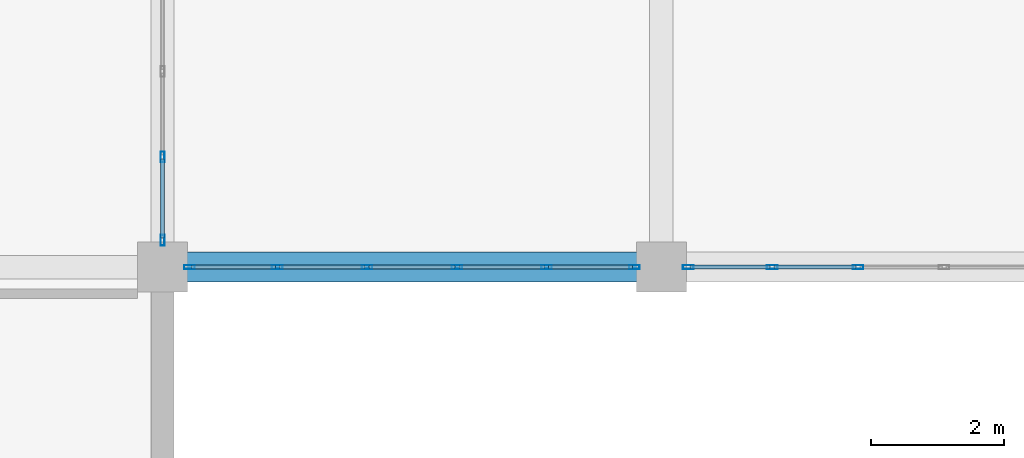
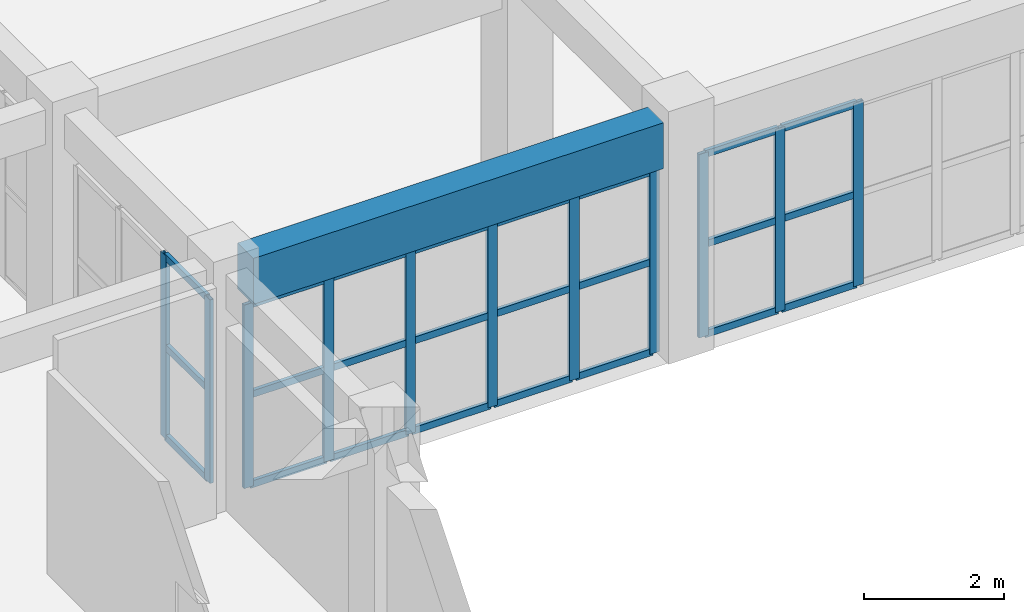
# One storey, part 24 of 116: 35 members, 1 beam, 3 elements without a shape of their own.
"""IFC4 building model written with IfcOpenShell, lengths in metres."""

from ifc_helpers import new_model, si_unit, direction, frame, origin, origin_2d, place, context, subcontext, project, spatial, rectangle, hollow_rectangle, extrude, material, layer, layer_set, material_profile, profile_set, type_object, element, aggregate, save


model = new_model("IFC4")

# Units and contexts
model_context = context("Model", 3, precision=1e-05, world=origin(), true_north=direction((0.0, 1.0)))
body_context = subcontext(model_context, "Body", "Model", "MODEL_VIEW")
ifc_project = project(units=[si_unit("LENGTHUNIT", "METRE"), si_unit("AREAUNIT", "SQUARE_METRE"), si_unit("VOLUMEUNIT", "CUBIC_METRE"), si_unit("PLANEANGLEUNIT", "RADIAN"), si_unit("MASSUNIT", "GRAM", prefix="KILO")], contexts=[model_context])

# Site, building, storey
site_placement = place(None, origin())
site = spatial("IfcSite", under=ifc_project, at=site_placement, CompositionType="ELEMENT")
building_placement = place(site_placement, origin())
building = spatial("IfcBuilding", under=site, at=building_placement, Name="Muzn Square Opera House", CompositionType="ELEMENT")
storey_placement = place(building_placement, frame((0.0, 0.0, 5.39990234375)))
storey = spatial("IfcBuildingStorey", under=building, at=storey_placement, Name="L01", CompositionType="ELEMENT", Elevation=5.39990234375)

# Curtain wall, members
ifc_material_1 = material(Name="Low-E laminated acoustic double glazing", Category="glass")
ifc_layer_1 = layer(ifc_material_1, 0.159912109375, Name="Low-E laminated acoustic double glazing", Category="glass")
ifc_layer_set_1 = layer_set([ifc_layer_1], Name="Low-E laminated acoustic double glazing")
curtain_wall_type_1 = type_object("IfcCurtainWallType", Name="Glazed Curtain Wall WestCloisterN 6750x3200", PredefinedType="USERDEFINED", material=ifc_layer_set_1)
curtain_wall_1_placement = place(storey_placement, origin())
curtain_wall_1 = element("IfcCurtainWall", 1, at=curtain_wall_1_placement, inside=storey, type_object=curtain_wall_type_1, Name="Glazed Curtain Wall CW-L01-082", ObjectType="GLAZED CURTAIN WALL", PredefinedType="USERDEFINED")
ifc_material_2 = material(Name="Anodised bronze aluminium 6063-T6", Category="metal")
ifc_material_profile_1 = material_profile(ifc_material_2, hollow_rectangle(XDim=0.06005859375, YDim=0.159912109375, WallThickness=0.00390625, at=origin_2d()), Name="ALU 160x60x4", Category="metal")
ifc_profile_set_1 = profile_set([ifc_material_profile_1], Name="Anodised bronze aluminium 6063-T6")
member_type_1 = type_object("IfcMemberType", Name="Curtain Wall Mullion 160x60", PredefinedType="MULLION", material=ifc_profile_set_1)
member_1_placement = place(storey_placement, frame((19.405029296875, 54.199951171875, 0.0), z_axis=(0.0, 0.0, 1.0), x_axis=(0.0, 1.0, 0.0)))
member_1 = element("IfcMember", 2, at=member_1_placement, type_object=member_type_1, Name="CW-WCN-67x32 mullion 1", PredefinedType="MULLION", context=body_context, shape_type="SweptSolid", body=[
    extrude(hollow_rectangle(XDim=0.06005859375, YDim=0.159912109375, WallThickness=0.00390625, at=origin_2d()), origin(), (0.0, 0.0, 1.0), 3.2001953125),
])
member_2_placement = place(storey_placement, frame((20.72509765625, 54.199951171875, 0.0), z_axis=(0.0, 0.0, 1.0), x_axis=(0.0, 1.0, 0.0)))
member_2 = element("IfcMember", 3, at=member_2_placement, type_object=member_type_1, Name="CW-WCN-67x32 mullion 2", PredefinedType="MULLION", context=body_context, shape_type="SweptSolid", body=[
    extrude(hollow_rectangle(XDim=0.06005859375, YDim=0.159912109375, WallThickness=0.00390625, at=origin_2d()), origin(), (0.0, 0.0, 1.0), 3.2001953125),
])
member_3_placement = place(storey_placement, frame((22.074951171875, 54.199951171875, 0.0), z_axis=(0.0, 0.0, 1.0), x_axis=(0.0, 1.0, 0.0)))
member_3 = element("IfcMember", 4, at=member_3_placement, type_object=member_type_1, Name="CW-WCN-67x32 mullion 3", PredefinedType="MULLION", context=body_context, shape_type="SweptSolid", body=[
    extrude(hollow_rectangle(XDim=0.06005859375, YDim=0.159912109375, WallThickness=0.00390625, at=origin_2d()), origin(), (0.0, 0.0, 1.0), 3.2001953125),
])
member_4_placement = place(storey_placement, frame((23.425048828125, 54.199951171875, 0.0), z_axis=(0.0, 0.0, 1.0), x_axis=(0.0, 1.0, 0.0)))
member_4 = element("IfcMember", 5, at=member_4_placement, type_object=member_type_1, Name="CW-WCN-67x32 mullion 4", PredefinedType="MULLION", context=body_context, shape_type="SweptSolid", body=[
    extrude(hollow_rectangle(XDim=0.06005859375, YDim=0.159912109375, WallThickness=0.00390625, at=origin_2d()), origin(), (0.0, 0.0, 1.0), 3.2001953125),
])
member_5_placement = place(storey_placement, frame((24.77490234375, 54.199951171875, 0.0), z_axis=(0.0, 0.0, 1.0), x_axis=(0.0, 1.0, 0.0)))
member_5 = element("IfcMember", 6, at=member_5_placement, type_object=member_type_1, Name="CW-WCN-67x32 mullion 5", PredefinedType="MULLION", context=body_context, shape_type="SweptSolid", body=[
    extrude(hollow_rectangle(XDim=0.06005859375, YDim=0.159912109375, WallThickness=0.00390625, at=origin_2d()), origin(), (0.0, 0.0, 1.0), 3.2001953125),
])
member_6_placement = place(storey_placement, frame((26.094970703125, 54.199951171875, 0.0), z_axis=(0.0, 0.0, 1.0), x_axis=(0.0, 1.0, 0.0)))
member_6 = element("IfcMember", 7, at=member_6_placement, type_object=member_type_1, Name="CW-WCN-67x32 mullion 6", PredefinedType="MULLION", context=body_context, shape_type="SweptSolid", body=[
    extrude(hollow_rectangle(XDim=0.06005859375, YDim=0.159912109375, WallThickness=0.00390625, at=origin_2d()), origin(), (0.0, 0.0, 1.0), 3.2001953125),
])

ifc_layer_2 = layer(ifc_material_1, 0.159912109375, Name="Low-E laminated acoustic double glazing", Category="glass")
ifc_layer_set_2 = layer_set([ifc_layer_2], Name="Low-E laminated acoustic double glazing")
curtain_wall_type_2 = type_object("IfcCurtainWallType", Name="Glazed Curtain Wall WestCloisterN 7750x3200", PredefinedType="USERDEFINED", material=ifc_layer_set_2)
curtain_wall_2_placement = place(storey_placement, origin())
curtain_wall_2 = element("IfcCurtainWall", 8, at=curtain_wall_2_placement, inside=storey, type_object=curtain_wall_type_2, Name="Glazed Curtain Wall CW-L01-084", ObjectType="GLAZED CURTAIN WALL", PredefinedType="USERDEFINED")
member_7_placement = place(storey_placement, frame((26.905029296875, 54.199951171875, 0.0), z_axis=(0.0, 0.0, 1.0), x_axis=(0.0, 1.0, 0.0)))
member_7 = element("IfcMember", 9, at=member_7_placement, type_object=member_type_1, Name="CW-WCN-77x32 mullion 1", PredefinedType="MULLION", context=body_context, shape_type="SweptSolid", body=[
    extrude(hollow_rectangle(XDim=0.06005859375, YDim=0.159912109375, WallThickness=0.00390625, at=origin_2d()), origin(), (0.0, 0.0, 1.0), 3.2001953125),
])
member_8_placement = place(storey_placement, frame((28.166748046875, 54.199951171875, 0.0), z_axis=(0.0, 0.0, 1.0), x_axis=(0.0, 1.0, 0.0)))
member_8 = element("IfcMember", 10, at=member_8_placement, type_object=member_type_1, Name="CW-WCN-77x32 mullion 2", PredefinedType="MULLION", context=body_context, shape_type="SweptSolid", body=[
    extrude(hollow_rectangle(XDim=0.06005859375, YDim=0.159912109375, WallThickness=0.00390625, at=origin_2d()), origin(), (0.0, 0.0, 1.0), 3.2001953125),
])
member_9_placement = place(storey_placement, frame((29.458251953125, 54.199951171875, 0.0), z_axis=(0.0, 0.0, 1.0), x_axis=(0.0, 1.0, 0.0)))
member_9 = element("IfcMember", 11, at=member_9_placement, type_object=member_type_1, Name="CW-WCN-77x32 mullion 3", PredefinedType="MULLION", context=body_context, shape_type="SweptSolid", body=[
    extrude(hollow_rectangle(XDim=0.06005859375, YDim=0.159912109375, WallThickness=0.00390625, at=origin_2d()), origin(), (0.0, 0.0, 1.0), 3.2001953125),
])

ifc_layer_3 = layer(ifc_material_1, 0.159912109375, Name="Low-E laminated acoustic double glazing", Category="glass")
ifc_layer_set_3 = layer_set([ifc_layer_3], Name="Low-E laminated acoustic double glazing")
curtain_wall_type_3 = type_object("IfcCurtainWallType", Name="Glazed Curtain Wall WestCourt 3850x3200", PredefinedType="USERDEFINED", material=ifc_layer_set_3)
curtain_wall_3_placement = place(storey_placement, origin())
curtain_wall_3 = element("IfcCurtainWall", 12, at=curtain_wall_3_placement, inside=storey, type_object=curtain_wall_type_3, Name="Glazed Curtain Wall CW-L01-144", ObjectType="GLAZED CURTAIN WALL", PredefinedType="USERDEFINED")
member_10_placement = place(storey_placement, frame((19.0, 54.60498046875, 0.0), z_axis=(0.0, 0.0, 1.0), x_axis=(-1.0, 0.0, 0.0)))
member_10 = element("IfcMember", 13, at=member_10_placement, type_object=member_type_1, Name="CW-WCT-38x32 mullion 1", PredefinedType="MULLION", context=body_context, shape_type="SweptSolid", body=[
    extrude(hollow_rectangle(XDim=0.06005859375, YDim=0.159912109375, WallThickness=0.00390625, at=origin_2d()), origin(), (0.0, 0.0, 1.0), 3.2001953125),
])
member_11_placement = place(storey_placement, frame((19.0, 55.8583984375, 0.0), z_axis=(0.0, 0.0, 1.0), x_axis=(-1.0, 0.0, 0.0)))
member_11 = element("IfcMember", 14, at=member_11_placement, type_object=member_type_1, Name="CW-WCT-38x32 mullion 2", PredefinedType="MULLION", context=body_context, shape_type="SweptSolid", body=[
    extrude(hollow_rectangle(XDim=0.06005859375, YDim=0.159912109375, WallThickness=0.00390625, at=origin_2d()), origin(), (0.0, 0.0, 1.0), 3.2001953125),
])

# Member
ifc_material_profile_2 = material_profile(ifc_material_2, hollow_rectangle(XDim=0.06005859375, YDim=0.1201171875, WallThickness=0.00390625, at=origin_2d()), Name="ALU 120x60x4", Category="metal")
ifc_profile_set_2 = profile_set([ifc_material_profile_2], Name="Anodised bronze aluminium 6063-T6")
member_type_2 = type_object("IfcMemberType", Name="Curtain Wall Transom 120x60", PredefinedType="USERDEFINED", material=ifc_profile_set_2)
member_12_placement = place(storey_placement, frame((19.43505859375, 54.199951171875, 0.030029296875), z_axis=(1.0, 0.0, 0.0), x_axis=(0.0, 1.0, 0.0)))
member_12 = element("IfcMember", 15, at=member_12_placement, type_object=member_type_2, Name="CW-WCN-67x32 transom 1.1", ObjectType="TRANSOM", PredefinedType="USERDEFINED", context=body_context, shape_type="SweptSolid", body=[
    extrude(hollow_rectangle(XDim=0.06005859375, YDim=0.1201171875, WallThickness=0.00390625, at=origin_2d()), origin(), (0.0, 0.0, 1.0), 1.260009765625),
])

member_13_placement = place(storey_placement, frame((19.43505859375, 54.199951171875, 1.60009765625), z_axis=(1.0, 0.0, 0.0), x_axis=(0.0, 1.0, 0.0)))
member_13 = element("IfcMember", 16, at=member_13_placement, type_object=member_type_2, Name="CW-WCN-67x32 transom 1.2", ObjectType="TRANSOM", PredefinedType="USERDEFINED", context=body_context, shape_type="SweptSolid", body=[
    extrude(hollow_rectangle(XDim=0.06005859375, YDim=0.1201171875, WallThickness=0.00390625, at=origin_2d()), origin(), (0.0, 0.0, 1.0), 1.260009765625),
])

member_14_placement = place(storey_placement, frame((19.43505859375, 54.199951171875, 3.170166015625), z_axis=(1.0, 0.0, 0.0), x_axis=(0.0, 1.0, 0.0)))
member_14 = element("IfcMember", 17, at=member_14_placement, type_object=member_type_2, Name="CW-WCN-67x32 transom 1.3", ObjectType="TRANSOM", PredefinedType="USERDEFINED", context=body_context, shape_type="SweptSolid", body=[
    extrude(hollow_rectangle(XDim=0.06005859375, YDim=0.1201171875, WallThickness=0.00390625, at=origin_2d()), origin(), (0.0, 0.0, 1.0), 1.260009765625),
])

member_15_placement = place(storey_placement, frame((20.7548828125, 54.199951171875, 0.030029296875), z_axis=(1.0, 0.0, 0.0), x_axis=(0.0, 1.0, 0.0)))
member_15 = element("IfcMember", 18, at=member_15_placement, type_object=member_type_2, Name="CW-WCN-67x32 transom 2.1", ObjectType="TRANSOM", PredefinedType="USERDEFINED", context=body_context, shape_type="SweptSolid", body=[
    extrude(hollow_rectangle(XDim=0.06005859375, YDim=0.1201171875, WallThickness=0.00390625, at=origin_2d()), origin(), (0.0, 0.0, 1.0), 1.2900390625),
])

member_16_placement = place(storey_placement, frame((20.7548828125, 54.199951171875, 1.60009765625), z_axis=(1.0, 0.0, 0.0), x_axis=(0.0, 1.0, 0.0)))
member_16 = element("IfcMember", 19, at=member_16_placement, type_object=member_type_2, Name="CW-WCN-67x32 transom 2.2", ObjectType="TRANSOM", PredefinedType="USERDEFINED", context=body_context, shape_type="SweptSolid", body=[
    extrude(hollow_rectangle(XDim=0.06005859375, YDim=0.1201171875, WallThickness=0.00390625, at=origin_2d()), origin(), (0.0, 0.0, 1.0), 1.2900390625),
])

member_17_placement = place(storey_placement, frame((20.7548828125, 54.199951171875, 3.170166015625), z_axis=(1.0, 0.0, 0.0), x_axis=(0.0, 1.0, 0.0)))
member_17 = element("IfcMember", 20, at=member_17_placement, type_object=member_type_2, Name="CW-WCN-67x32 transom 2.3", ObjectType="TRANSOM", PredefinedType="USERDEFINED", context=body_context, shape_type="SweptSolid", body=[
    extrude(hollow_rectangle(XDim=0.06005859375, YDim=0.1201171875, WallThickness=0.00390625, at=origin_2d()), origin(), (0.0, 0.0, 1.0), 1.2900390625),
])

member_18_placement = place(storey_placement, frame((22.10498046875, 54.199951171875, 0.030029296875), z_axis=(1.0, 0.0, 0.0), x_axis=(0.0, 1.0, 0.0)))
member_18 = element("IfcMember", 21, at=member_18_placement, type_object=member_type_2, Name="CW-WCN-67x32 transom 3.1", ObjectType="TRANSOM", PredefinedType="USERDEFINED", context=body_context, shape_type="SweptSolid", body=[
    extrude(hollow_rectangle(XDim=0.06005859375, YDim=0.1201171875, WallThickness=0.00390625, at=origin_2d()), origin(), (0.0, 0.0, 1.0), 1.2900390625),
])

member_19_placement = place(storey_placement, frame((22.10498046875, 54.199951171875, 1.60009765625), z_axis=(1.0, 0.0, 0.0), x_axis=(0.0, 1.0, 0.0)))
member_19 = element("IfcMember", 22, at=member_19_placement, type_object=member_type_2, Name="CW-WCN-67x32 transom 3.2", ObjectType="TRANSOM", PredefinedType="USERDEFINED", context=body_context, shape_type="SweptSolid", body=[
    extrude(hollow_rectangle(XDim=0.06005859375, YDim=0.1201171875, WallThickness=0.00390625, at=origin_2d()), origin(), (0.0, 0.0, 1.0), 1.2900390625),
])

member_20_placement = place(storey_placement, frame((22.10498046875, 54.199951171875, 3.170166015625), z_axis=(1.0, 0.0, 0.0), x_axis=(0.0, 1.0, 0.0)))
member_20 = element("IfcMember", 23, at=member_20_placement, type_object=member_type_2, Name="CW-WCN-67x32 transom 3.3", ObjectType="TRANSOM", PredefinedType="USERDEFINED", context=body_context, shape_type="SweptSolid", body=[
    extrude(hollow_rectangle(XDim=0.06005859375, YDim=0.1201171875, WallThickness=0.00390625, at=origin_2d()), origin(), (0.0, 0.0, 1.0), 1.2900390625),
])

member_21_placement = place(storey_placement, frame((23.455078125, 54.199951171875, 0.030029296875), z_axis=(1.0, 0.0, 0.0), x_axis=(0.0, 1.0, 0.0)))
member_21 = element("IfcMember", 24, at=member_21_placement, type_object=member_type_2, Name="CW-WCN-67x32 transom 4.1", ObjectType="TRANSOM", PredefinedType="USERDEFINED", context=body_context, shape_type="SweptSolid", body=[
    extrude(hollow_rectangle(XDim=0.06005859375, YDim=0.1201171875, WallThickness=0.00390625, at=origin_2d()), origin(), (0.0, 0.0, 1.0), 1.2900390625),
])

member_22_placement = place(storey_placement, frame((23.455078125, 54.199951171875, 1.60009765625), z_axis=(1.0, 0.0, 0.0), x_axis=(0.0, 1.0, 0.0)))
member_22 = element("IfcMember", 25, at=member_22_placement, type_object=member_type_2, Name="CW-WCN-67x32 transom 4.2", ObjectType="TRANSOM", PredefinedType="USERDEFINED", context=body_context, shape_type="SweptSolid", body=[
    extrude(hollow_rectangle(XDim=0.06005859375, YDim=0.1201171875, WallThickness=0.00390625, at=origin_2d()), origin(), (0.0, 0.0, 1.0), 1.2900390625),
])

member_23_placement = place(storey_placement, frame((23.455078125, 54.199951171875, 3.170166015625), z_axis=(1.0, 0.0, 0.0), x_axis=(0.0, 1.0, 0.0)))
member_23 = element("IfcMember", 26, at=member_23_placement, type_object=member_type_2, Name="CW-WCN-67x32 transom 4.3", ObjectType="TRANSOM", PredefinedType="USERDEFINED", context=body_context, shape_type="SweptSolid", body=[
    extrude(hollow_rectangle(XDim=0.06005859375, YDim=0.1201171875, WallThickness=0.00390625, at=origin_2d()), origin(), (0.0, 0.0, 1.0), 1.2900390625),
])

member_24_placement = place(storey_placement, frame((24.804931640625, 54.199951171875, 0.030029296875), z_axis=(1.0, 0.0, 0.0), x_axis=(0.0, 1.0, 0.0)))
member_24 = element("IfcMember", 27, at=member_24_placement, type_object=member_type_2, Name="CW-WCN-67x32 transom 5.1", ObjectType="TRANSOM", PredefinedType="USERDEFINED", context=body_context, shape_type="SweptSolid", body=[
    extrude(hollow_rectangle(XDim=0.06005859375, YDim=0.1201171875, WallThickness=0.00390625, at=origin_2d()), origin(), (0.0, 0.0, 1.0), 1.260009765625),
])

member_25_placement = place(storey_placement, frame((24.804931640625, 54.199951171875, 1.60009765625), z_axis=(1.0, 0.0, 0.0), x_axis=(0.0, 1.0, 0.0)))
member_25 = element("IfcMember", 28, at=member_25_placement, type_object=member_type_2, Name="CW-WCN-67x32 transom 5.2", ObjectType="TRANSOM", PredefinedType="USERDEFINED", context=body_context, shape_type="SweptSolid", body=[
    extrude(hollow_rectangle(XDim=0.06005859375, YDim=0.1201171875, WallThickness=0.00390625, at=origin_2d()), origin(), (0.0, 0.0, 1.0), 1.260009765625),
])

member_26_placement = place(storey_placement, frame((24.804931640625, 54.199951171875, 3.170166015625), z_axis=(1.0, 0.0, 0.0), x_axis=(0.0, 1.0, 0.0)))
member_26 = element("IfcMember", 29, at=member_26_placement, type_object=member_type_2, Name="CW-WCN-67x32 transom 5.3", ObjectType="TRANSOM", PredefinedType="USERDEFINED", context=body_context, shape_type="SweptSolid", body=[
    extrude(hollow_rectangle(XDim=0.06005859375, YDim=0.1201171875, WallThickness=0.00390625, at=origin_2d()), origin(), (0.0, 0.0, 1.0), 1.260009765625),
])

aggregate(curtain_wall_1, [member_1, member_2, member_3, member_4, member_5, member_6, member_12, member_13, member_14, member_15, member_16, member_17, member_18, member_19, member_20, member_21, member_22, member_23, member_24, member_25, member_26])

member_27_placement = place(storey_placement, frame((26.93505859375, 54.199951171875, 0.030029296875), z_axis=(1.0, 0.0, 0.0), x_axis=(0.0, 1.0, 0.0)))
member_27 = element("IfcMember", 30, at=member_27_placement, type_object=member_type_2, Name="CW-WCN-77x32 transom 1.1", ObjectType="TRANSOM", PredefinedType="USERDEFINED", context=body_context, shape_type="SweptSolid", body=[
    extrude(hollow_rectangle(XDim=0.06005859375, YDim=0.1201171875, WallThickness=0.00390625, at=origin_2d()), origin(), (0.0, 0.0, 1.0), 1.20166015625),
])

member_28_placement = place(storey_placement, frame((26.93505859375, 54.199951171875, 1.60009765625), z_axis=(1.0, 0.0, 0.0), x_axis=(0.0, 1.0, 0.0)))
member_28 = element("IfcMember", 31, at=member_28_placement, type_object=member_type_2, Name="CW-WCN-77x32 transom 1.2", ObjectType="TRANSOM", PredefinedType="USERDEFINED", context=body_context, shape_type="SweptSolid", body=[
    extrude(hollow_rectangle(XDim=0.06005859375, YDim=0.1201171875, WallThickness=0.00390625, at=origin_2d()), origin(), (0.0, 0.0, 1.0), 1.20166015625),
])

member_29_placement = place(storey_placement, frame((26.93505859375, 54.199951171875, 3.170166015625), z_axis=(1.0, 0.0, 0.0), x_axis=(0.0, 1.0, 0.0)))
member_29 = element("IfcMember", 32, at=member_29_placement, type_object=member_type_2, Name="CW-WCN-77x32 transom 1.3", ObjectType="TRANSOM", PredefinedType="USERDEFINED", context=body_context, shape_type="SweptSolid", body=[
    extrude(hollow_rectangle(XDim=0.06005859375, YDim=0.1201171875, WallThickness=0.00390625, at=origin_2d()), origin(), (0.0, 0.0, 1.0), 1.20166015625),
])

member_30_placement = place(storey_placement, frame((28.19677734375, 54.199951171875, 0.030029296875), z_axis=(1.0, 0.0, 0.0), x_axis=(0.0, 1.0, 0.0)))
member_30 = element("IfcMember", 33, at=member_30_placement, type_object=member_type_2, Name="CW-WCN-77x32 transom 2.1", ObjectType="TRANSOM", PredefinedType="USERDEFINED", context=body_context, shape_type="SweptSolid", body=[
    extrude(hollow_rectangle(XDim=0.06005859375, YDim=0.1201171875, WallThickness=0.00390625, at=origin_2d()), origin(), (0.0, 0.0, 1.0), 1.2314453125),
])

member_31_placement = place(storey_placement, frame((28.19677734375, 54.199951171875, 1.60009765625), z_axis=(1.0, 0.0, 0.0), x_axis=(0.0, 1.0, 0.0)))
member_31 = element("IfcMember", 34, at=member_31_placement, type_object=member_type_2, Name="CW-WCN-77x32 transom 2.2", ObjectType="TRANSOM", PredefinedType="USERDEFINED", context=body_context, shape_type="SweptSolid", body=[
    extrude(hollow_rectangle(XDim=0.06005859375, YDim=0.1201171875, WallThickness=0.00390625, at=origin_2d()), origin(), (0.0, 0.0, 1.0), 1.2314453125),
])

member_32_placement = place(storey_placement, frame((28.19677734375, 54.199951171875, 3.170166015625), z_axis=(1.0, 0.0, 0.0), x_axis=(0.0, 1.0, 0.0)))
member_32 = element("IfcMember", 35, at=member_32_placement, type_object=member_type_2, Name="CW-WCN-77x32 transom 2.3", ObjectType="TRANSOM", PredefinedType="USERDEFINED", context=body_context, shape_type="SweptSolid", body=[
    extrude(hollow_rectangle(XDim=0.06005859375, YDim=0.1201171875, WallThickness=0.00390625, at=origin_2d()), origin(), (0.0, 0.0, 1.0), 1.2314453125),
])

aggregate(curtain_wall_2, [member_7, member_8, member_9, member_27, member_28, member_29, member_30, member_31, member_32])

member_33_placement = place(storey_placement, frame((19.0, 54.635009765625, 0.030029296875), z_axis=(0.0, 1.0, 0.0), x_axis=(-1.0, 0.0, 0.0)))
member_33 = element("IfcMember", 36, at=member_33_placement, type_object=member_type_2, Name="CW-WCT-38x32 transom 1.1", ObjectType="TRANSOM", PredefinedType="USERDEFINED", context=body_context, shape_type="SweptSolid", body=[
    extrude(hollow_rectangle(XDim=0.06005859375, YDim=0.1201171875, WallThickness=0.00390625, at=origin_2d()), origin(), (0.0, 0.0, 1.0), 1.193359375),
])

member_34_placement = place(storey_placement, frame((19.0, 54.635009765625, 1.60009765625), z_axis=(0.0, 1.0, 0.0), x_axis=(-1.0, 0.0, 0.0)))
member_34 = element("IfcMember", 37, at=member_34_placement, type_object=member_type_2, Name="CW-WCT-38x32 transom 1.2", ObjectType="TRANSOM", PredefinedType="USERDEFINED", context=body_context, shape_type="SweptSolid", body=[
    extrude(hollow_rectangle(XDim=0.06005859375, YDim=0.1201171875, WallThickness=0.00390625, at=origin_2d()), origin(), (0.0, 0.0, 1.0), 1.193359375),
])

member_35_placement = place(storey_placement, frame((19.0, 54.635009765625, 3.170166015625), z_axis=(0.0, 1.0, 0.0), x_axis=(-1.0, 0.0, 0.0)))
member_35 = element("IfcMember", 38, at=member_35_placement, type_object=member_type_2, Name="CW-WCT-38x32 transom 1.3", ObjectType="TRANSOM", PredefinedType="USERDEFINED", context=body_context, shape_type="SweptSolid", body=[
    extrude(hollow_rectangle(XDim=0.06005859375, YDim=0.1201171875, WallThickness=0.00390625, at=origin_2d()), origin(), (0.0, 0.0, 1.0), 1.193359375),
])

aggregate(curtain_wall_3, [member_10, member_11, member_33, member_34, member_35])

# Beam
ifc_material_3 = material(Name="Concrete C40/50", Category="concrete")
ifc_material_profile_3 = material_profile(ifc_material_3, rectangle(XDim=0.449951171875, YDim=0.800048828125, at=origin_2d()), Name="RCB 450x800", Category="concrete")
ifc_profile_set_3 = profile_set([ifc_material_profile_3], Name="Concrete C40/50")
beam_type = type_object("IfcBeamType", Name="Primary Girder 450x800", PredefinedType="BEAM", material=ifc_profile_set_3)
beam_placement = place(storey_placement, frame((19.366943359375, 54.199951171875, 3.72021484375), z_axis=(1.0, 0.0, 0.0), x_axis=(0.0, 1.0, 0.0)))
element("IfcBeam", 39, at=beam_placement, inside=storey, type_object=beam_type, Name="Primary Girder BM-L01-BM-PG800-194_542_261_542-1371", PredefinedType="BEAM", context=body_context, shape_type="SweptSolid", body=[
    extrude(rectangle(XDim=0.449951171875, YDim=0.800048828125, at=origin_2d()), origin(), (0.0, 0.0, 1.0), 6.76611328125),
])

save(model, "model.ifc")
